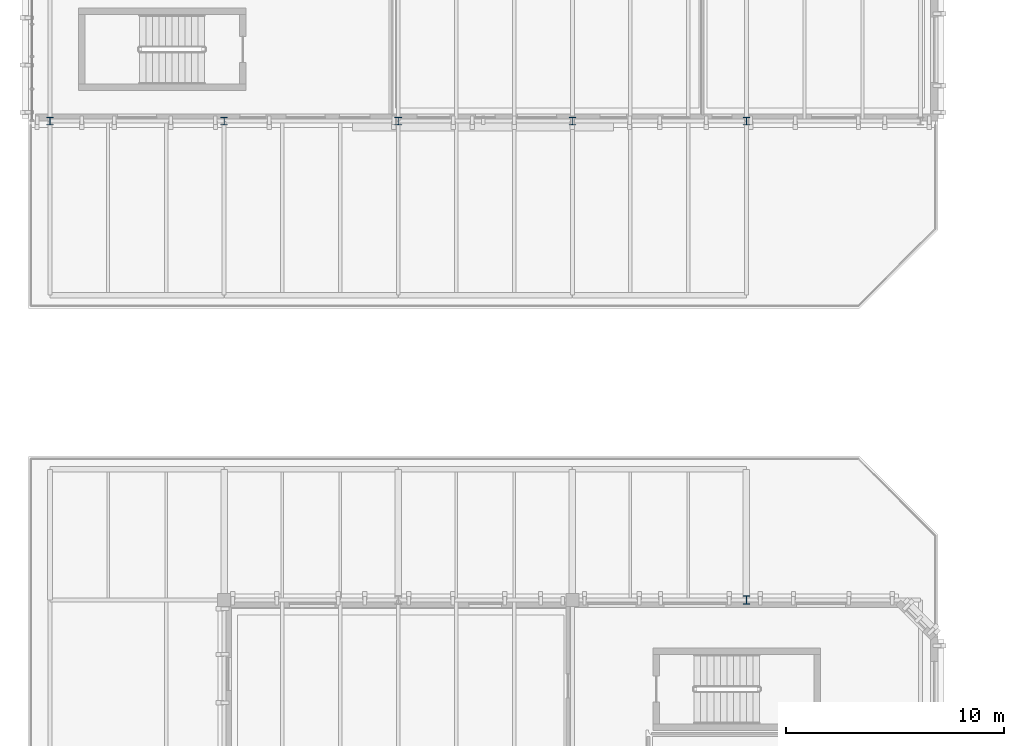
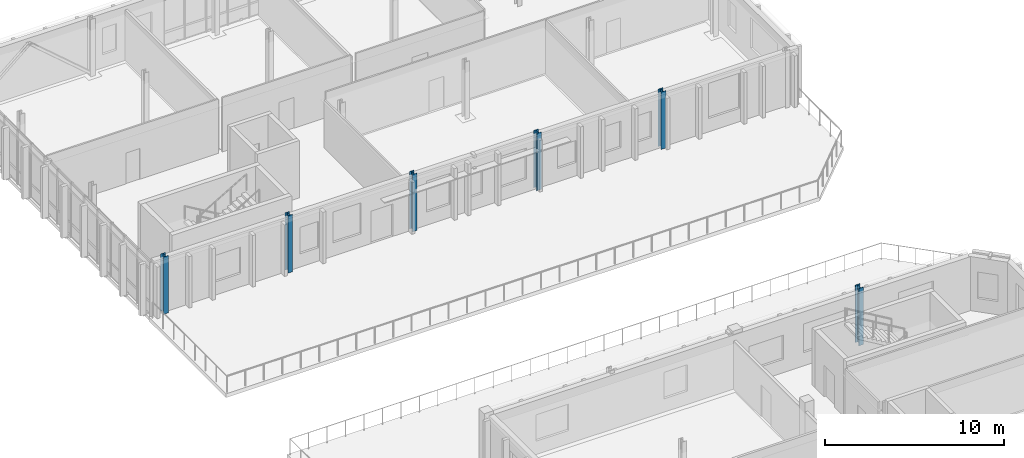
# One storey, part 2 of 43: 6 columns.
"""IFC4 building model written with IfcOpenShell, lengths in metres."""

from ifc_helpers import new_model, si_unit, direction, frame, origin, origin_2d, place, context, subcontext, project, spatial, i_section, extrude, material, material_profile, profile_set, type_object, element, save


model = new_model("IFC4")

# Units and contexts
model_context = context("Model", 3, precision=1e-05, world=origin(), true_north=direction((0.0, 1.0)))
body_context = subcontext(model_context, "Body", "Model", "MODEL_VIEW")
ifc_project = project(units=[si_unit("LENGTHUNIT", "METRE"), si_unit("AREAUNIT", "SQUARE_METRE"), si_unit("VOLUMEUNIT", "CUBIC_METRE"), si_unit("PLANEANGLEUNIT", "RADIAN"), si_unit("MASSUNIT", "GRAM", prefix="KILO")], contexts=[model_context])

# Site, building, storey
site_placement = place(None, origin())
site = spatial("IfcSite", under=ifc_project, at=site_placement, CompositionType="ELEMENT")
building_placement = place(site_placement, origin())
building = spatial("IfcBuilding", under=site, at=building_placement, Name="Cymarion Research Institute", CompositionType="ELEMENT")
storey_placement = place(building_placement, frame((0.0, 0.0, 22.800048828125)))
storey = spatial("IfcBuildingStorey", under=building, at=storey_placement, Name="L05", CompositionType="ELEMENT", Elevation=22.800048828125)

# Columns
ifc_material = material(Name="Steel S355", Category="steel")
ifc_material_profile_1 = material_profile(ifc_material, i_section(OverallWidth=0.300048828125, OverallDepth=0.39990234375, WebThickness=0.013427734375, FlangeThickness=0.02392578125, FilletRadius=0.027099609375, at=origin_2d()), Name="HEB 400")
ifc_profile_set_1 = profile_set([ifc_material_profile_1], Name="Steel S355")
column_type_1 = type_object("IfcColumnType", Name="STRUCTURAL COLUMN C06 HEB 400", PredefinedType="COLUMN", material=ifc_profile_set_1)
column_placement = place(storey_placement, frame((38.60009765625, 71.5, 0.0), z_axis=(0.0, 0.0, 1.0), x_axis=(1.0, 0.0, 0.0)))
element("IfcColumn", 1, at=column_placement, inside=storey, type_object=column_type_1, Name="L05 V4 column C06 #1136", PredefinedType="COLUMN", context=body_context, shape_type="SweptSolid", body=[
    extrude(i_section(OverallWidth=0.300048828125, OverallDepth=0.39990234375, WebThickness=0.013427734375, FlangeThickness=0.02392578125, FilletRadius=0.027099609375, at=origin_2d()), origin(), (0.0, 0.0, 1.0), 3.89990234375),
])
ifc_material_profile_2 = material_profile(ifc_material, i_section(OverallWidth=0.300048828125, OverallDepth=0.35009765625, WebThickness=0.010009765625, FlangeThickness=0.017578125, FilletRadius=0.027099609375, at=origin_2d()), Name="HEA 360")
ifc_profile_set_2 = profile_set([ifc_material_profile_2], Name="Steel S355")
column_type_2 = type_object("IfcColumnType", Name="STRUCTURAL COLUMN C12 HEA 360", PredefinedType="COLUMN", material=ifc_profile_set_2)
for number, where, z_axis, x_axis, name in (
    (2, (6.60009765625, 93.5, 0.0), (0.0, 0.0, 1.0), (1.0, 0.0, 0.0), "L05 V5 column C12 #1107"),
    (3, (14.60009765625, 93.5, 0.0), (0.0, 0.0, 1.0), (1.0, 0.0, 0.0), "L05 V5 column C12 #1115"),
    (4, (22.60009765625, 93.5, 0.0), (0.0, 0.0, 1.0), (1.0, 0.0, 0.0), "L05 V5 column C12 #1122"),
    (5, (30.60009765625, 93.5, 0.0), (0.0, 0.0, 1.0), (1.0, 0.0, 0.0), "L05 V5 column C12 #1130"),
    (6, (38.60009765625, 93.5, 0.0), (0.0, 0.0, 1.0), (1.0, 0.0, 0.0), "L05 V5 column C12 #1137"),
):
    element("IfcColumn", number, at=place(storey_placement, frame(where, z_axis=z_axis, x_axis=x_axis)), inside=storey, type_object=column_type_2, Name=name, PredefinedType="COLUMN", context=body_context, shape_type="SweptSolid", body=[
        extrude(i_section(OverallWidth=0.300048828125, OverallDepth=0.35009765625, WebThickness=0.010009765625, FlangeThickness=0.017578125, FilletRadius=0.027099609375, at=origin_2d()), origin(), (0.0, 0.0, 1.0), 3.89990234375),
    ])

save(model, "model.ifc")
